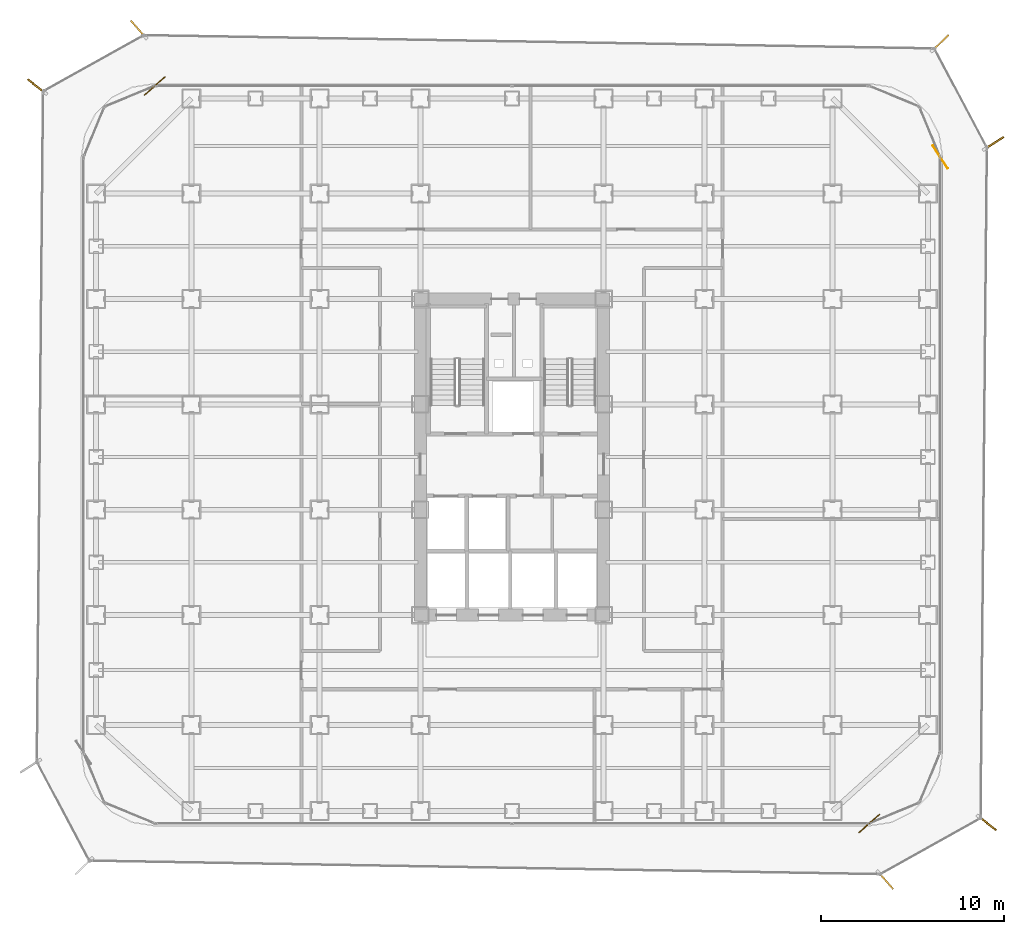
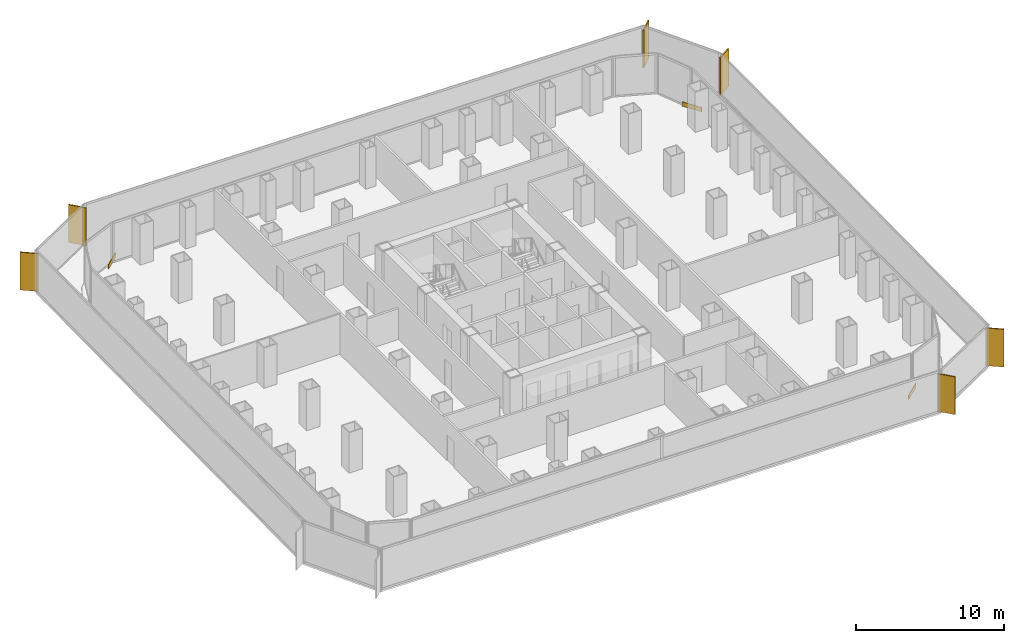
# One storey, part 21 of 21: 6 shading devices, 3 coverings.
"""IFC4 building model written with IfcOpenShell, lengths in metres."""

from ifc_helpers import new_model, si_unit, direction, frame, origin, origin_2d, place, context, subcontext, project, spatial, rectangle, extrude, source, transform, mapped, material, layer, layer_set, type_object, element, save


model = new_model("IFC4")

# Units and contexts
model_context = context("Model", 3, precision=1e-05, world=origin(), true_north=direction((0.0, 1.0)))
body_context = subcontext(model_context, "Body", "Model", "MODEL_VIEW")
ifc_project = project(units=[si_unit("LENGTHUNIT", "METRE"), si_unit("AREAUNIT", "SQUARE_METRE"), si_unit("VOLUMEUNIT", "CUBIC_METRE"), si_unit("PLANEANGLEUNIT", "RADIAN"), si_unit("MASSUNIT", "GRAM", prefix="KILO")], contexts=[model_context])

# Site, building, storey
site_placement = place(None, origin())
site = spatial("IfcSite", under=ifc_project, at=site_placement, CompositionType="ELEMENT")
building_placement = place(site_placement, origin())
building = spatial("IfcBuilding", under=site, at=building_placement, Name="Kolveth Station Tower", CompositionType="ELEMENT")
storey_placement = place(building_placement, frame((0.0, 0.0, 58.5)))
storey = spatial("IfcBuildingStorey", under=building, at=storey_placement, Name="L15", CompositionType="ELEMENT", Elevation=58.5)

# Shading devices
ifc_material_1 = material(Name="Black anodized aluminium 6063-T6", Category="aluminium")
shading_device_type = type_object("IfcShadingDeviceType", Name="FIN_VF1", PredefinedType="USERDEFINED", material=ifc_material_1)
shared_shape_1 = source(origin(), body_context, "Body", "SweptSolid", [
    extrude(rectangle(XDim=1.25, YDim=0.090087890625, at=origin_2d()), origin(), (0.0, 0.0, 1.0), 3.10009765625),
])
for number, where, z_axis, x_axis, name in (
    (1, (43.89794921875, -2.989013671875, 0.0), (0.0, 0.0, 1.0), (0.659608216527, -0.751609606571, 0.0), "L15 Dark-Aluminium Solar Fin 1"),
    (2, (49.444091796875, 0.138916015625, 0.0), (0.0, 0.0, 1.0), (0.790368909154, -0.612631200187, 0.0), "L15 Dark-Aluminium Solar Fin 2"),
    (3, (49.80908203125, 37.259033203125, 0.0), (0.0, 0.0, 1.0), (0.839809417029, 0.542881334243, 0.0), "L15 Dark-Aluminium Solar Fin 3"),
    (4, (46.886962890625, 42.73193359375, 0.0), (0.0, 0.0, 1.0), (0.72091407724, 0.693024453563, 0.0), "L15 Dark-Aluminium Solar Fin 4"),
    (5, (3.10302734375, 43.48193359375, 0.0), (0.0, 0.0, 1.0), (-0.659739387103, 0.751494471773, 0.0), "L15 Dark-Aluminium Solar Fin 5"),
    (6, (-2.444091796875, 40.361083984375, 0.0), (0.0, 0.0, 1.0), (-0.790368909154, 0.612631200187, 0.0), "L15 Dark-Aluminium Solar Fin 6"),
):
    element("IfcShadingDevice", number, at=place(storey_placement, frame(where, z_axis=z_axis, x_axis=x_axis)), inside=storey, type_object=shading_device_type, Name=name, ObjectType="FIN", PredefinedType="USERDEFINED", context=body_context, shape_type="MappedRepresentation", body=[
        mapped(shared_shape_1, transform((0.0, 0.0, 0.0), x_axis=(1.0, 0.0, 0.0), y_axis=(0.0, 1.0, 0.0), z_axis=(0.0, 0.0, 1.0), scale=1.0)),
    ])

# Coverings
ifc_material_2 = material(Name="Charcoal anodized aluminium spandrel cladding", Category="aluminium")
ifc_layer = layer(ifc_material_2, 0.044921875)
ifc_layer_set = layer_set([ifc_layer], Name="Charcoal anodized aluminium spandrel cladding")
covering_type = type_object("IfcCoveringType", Name="Clad_CD1", PredefinedType="CLADDING", material=ifc_layer_set)
shared_shape_2 = source(origin(), body_context, "Body", "SweptSolid", [
    extrude(rectangle(XDim=1.5, YDim=0.044921875, at=origin_2d()), origin(), (0.0, 0.0, 1.0), 0.360107421875),
])
for number, where, z_axis, x_axis, name in (
    (7, (43.0, 0.1201171875, 0.0), (0.0, 0.0, 1.0), (0.751609606571, 0.659608216527, 0.0), "L15 Spandrel Edge Cladding 1"),
    (8, (46.8798828125, 36.5, 0.0), (0.0, 0.0, 1.0), (-0.542881334243, 0.839809417029, 0.0), "L15 Spandrel Edge Cladding 3"),
    (9, (4.0, 40.3798828125, 0.0), (0.0, 0.0, 1.0), (-0.751494471773, -0.659739387103, 0.0), "L15 Spandrel Edge Cladding 5"),
):
    element("IfcCovering", number, at=place(storey_placement, frame(where, z_axis=z_axis, x_axis=x_axis)), inside=storey, type_object=covering_type, Name=name, PredefinedType="CLADDING", context=body_context, shape_type="MappedRepresentation", body=[
        mapped(shared_shape_2, transform((0.0, 0.0, 0.0), x_axis=(1.0, 0.0, 0.0), y_axis=(0.0, 1.0, 0.0), z_axis=(0.0, 0.0, 1.0), scale=1.0)),
    ])

save(model, "model.ifc")
